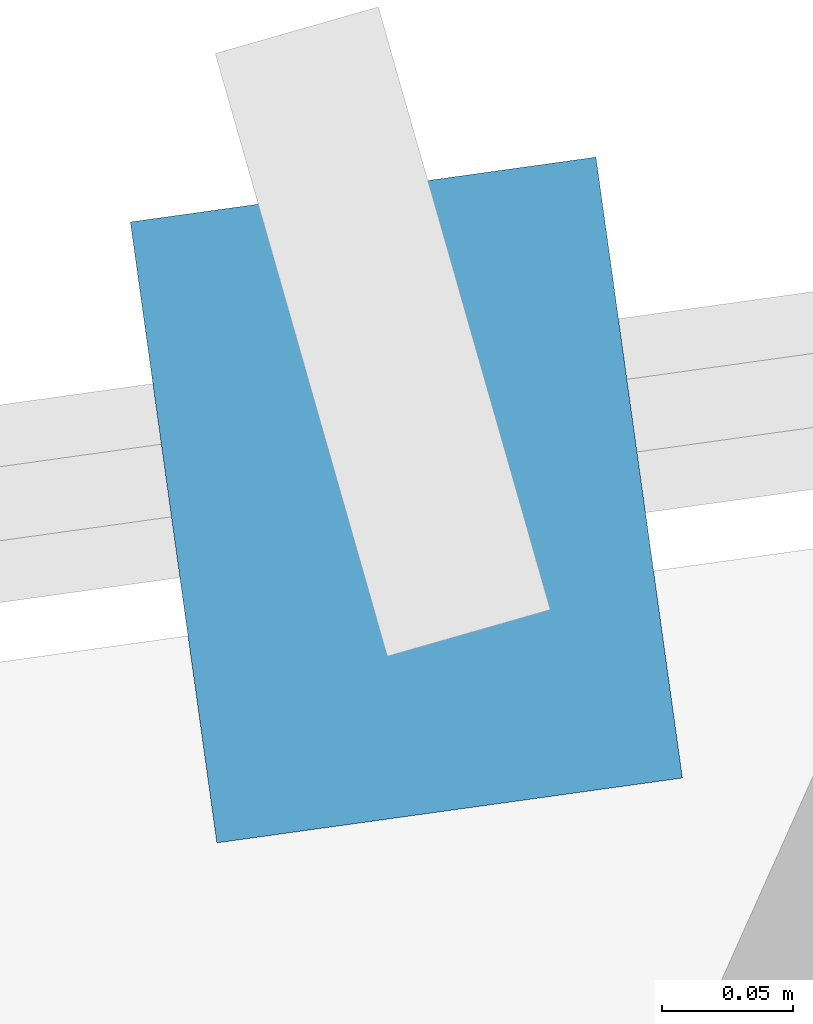
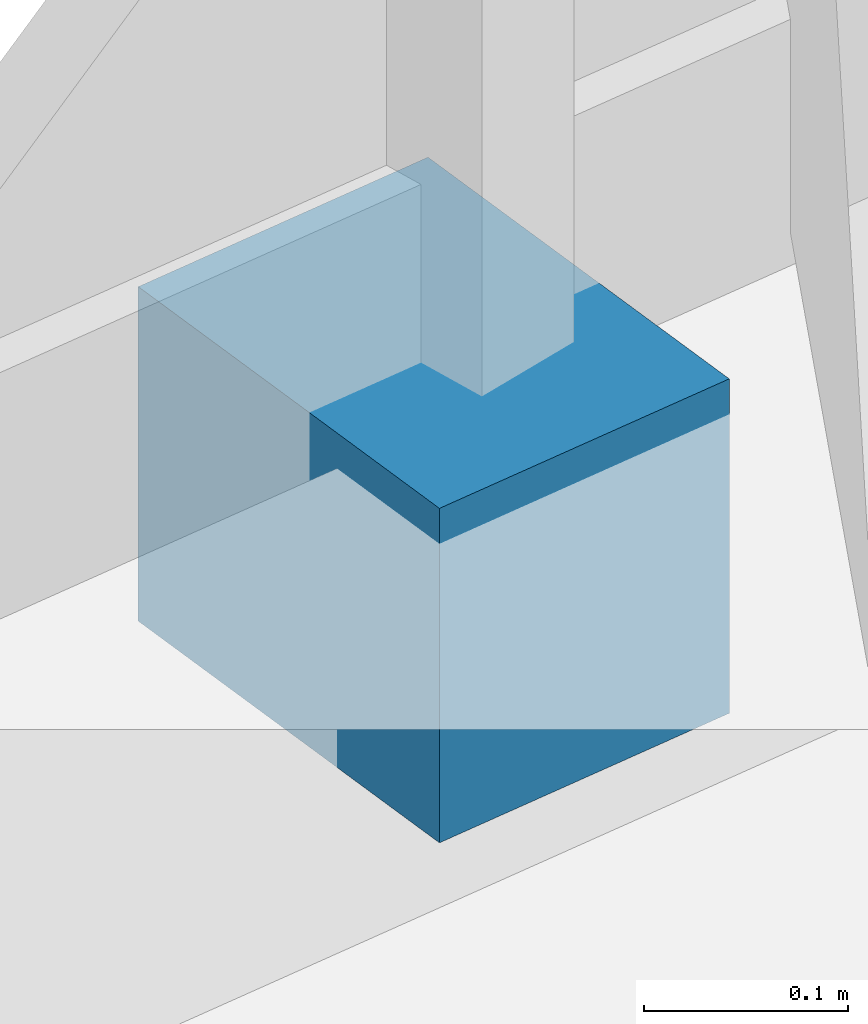
# One storey, part 21 of 24: 1 discrete accessory.
"""IFC4 building model written with IfcOpenShell, lengths in metres."""

import ifcopenshell
import ifcopenshell.guid

model = None  # the IFC model being written
_history = None  # IfcOwnerHistory: only IFC2X3 demands one
_inside = {}  # id of a spatial element -> (the spatial element, [elements in it])
_under = {}  # id of a project, library or spatial element -> (it, [spatial elements below it])
_declared = {}  # id of a project -> (the project, [libraries it declares])
_typed = {}  # id of a type object -> (the type object, [elements of that type])
_made_of = {}  # id of a material, layer set ... -> (it, [elements and type objects made of it])


def new_model(schema):
    """Start an empty IFC model of exactly this schema.

    Asked for "IFC4X3", IfcOpenShell would pick the latest addendum, in which some entities
    have other attributes; the version numbers below select the first issue.
    IFC2X3 requires an IfcOwnerHistory on every rooted entity: one is made here for all.
    """
    global model, _history
    if schema == "IFC4X3":
        model = ifcopenshell.file(schema_version=(4, 3, 0, 0))
    else:
        model = ifcopenshell.file(schema=schema)
    _inside.clear()
    _under.clear()
    _declared.clear()
    _typed.clear()
    _made_of.clear()
    _history = None
    if model.schema == "IFC2X3":
        org = make("IfcOrganization", Name="unknown")
        user = make(
            "IfcPersonAndOrganization",
            ThePerson=make("IfcPerson", FamilyName="unknown"),
            TheOrganization=org,
        )
        app = make(
            "IfcApplication",
            ApplicationDeveloper=org,
            Version="unknown",
            ApplicationFullName="unknown",
            ApplicationIdentifier="unknown",
        )
        _history = make(
            "IfcOwnerHistory",
            OwningUser=user,
            OwningApplication=app,
            ChangeAction="ADDED",
            CreationDate=0,
        )
    return model


def make(cls, **values):
    """One entity of the class cls with the attributes given. An attribute that is None is left unset."""
    return model.create_entity(
        cls, **{name: value for name, value in values.items() if value is not None}
    )


def rooted(cls, **values):
    """An entity with a GlobalId (a new one), such as an element, a storey or a relation."""
    return make(cls, GlobalId=ifcopenshell.guid.new(), OwnerHistory=_history, **values)


def si_unit(unit_type, name, prefix=None):
    """IfcSIUnit, for example si_unit("LENGTHUNIT", "METRE", prefix="MILLI")."""
    return make("IfcSIUnit", UnitType=unit_type, Prefix=prefix, Name=name)


def assignment(units):
    """IfcUnitAssignment: the units of a project."""
    return None if units is None else make("IfcUnitAssignment", Units=units)


def point(xyz):
    """IfcCartesianPoint."""
    return None if xyz is None else make("IfcCartesianPoint", Coordinates=xyz)


def direction(xyz):
    """IfcDirection."""
    return None if xyz is None else make("IfcDirection", DirectionRatios=xyz)


def frame(location, z_axis=None, x_axis=None):
    """IfcAxis2Placement3D, a coordinate frame: its origin and axes. An axis left out is left unset."""
    return make(
        "IfcAxis2Placement3D",
        Location=point(location),
        Axis=direction(z_axis),
        RefDirection=direction(x_axis),
    )


def frame_2d(location, x_axis=None):
    """IfcAxis2Placement2D, a coordinate frame in the plane: its origin and x axis."""
    return make(
        "IfcAxis2Placement2D", Location=point(location), RefDirection=direction(x_axis)
    )


def origin():
    """The frame at (0, 0, 0) with its axes left unset."""
    return frame((0.0, 0.0, 0.0))


def origin_2d():
    """The frame at (0, 0) in the plane with its x axis left unset."""
    return frame_2d((0.0, 0.0))


def place(relative_to, where):
    """IfcLocalPlacement: puts the frame where relative to a parent placement (None: the world)."""
    return make(
        "IfcLocalPlacement", PlacementRelTo=relative_to, RelativePlacement=where
    )


def context(
    kind, dimensions, precision=None, world=None, true_north=None, identifier=None
):
    """IfcGeometricRepresentationContext, for example the 3D "Model" context."""
    return make(
        "IfcGeometricRepresentationContext",
        ContextIdentifier=identifier,
        ContextType=kind,
        CoordinateSpaceDimension=dimensions,
        Precision=precision,
        WorldCoordinateSystem=world,
        TrueNorth=true_north,
    )


def subcontext(parent, identifier, kind, view, scale=None):
    """IfcGeometricRepresentationSubContext, for example "Body" below "Model"."""
    return make(
        "IfcGeometricRepresentationSubContext",
        ContextIdentifier=identifier,
        ContextType=kind,
        ParentContext=parent,
        TargetScale=scale,
        TargetView=view,
    )


def project(units=None, contexts=None):
    """IfcProject with its units and contexts."""
    return rooted(
        "IfcProject",
        Name="project",
        RepresentationContexts=contexts,
        UnitsInContext=assignment(units),
    )


def spatial(cls, under=None, at=None, **own):
    """A site, building, storey or space (cls), placed at a placement, below another one or the project."""
    s = rooted(cls, ObjectPlacement=at, **own)
    if under is not None:
        _under.setdefault(under.id(), (under, []))[1].append(s)
    return s


def profile(cls, at=None, kind="AREA", **sizes):
    """A parametric profile (cls). Its sizes go by their IFC names, for example OverallWidth=200.0."""
    return make(cls, ProfileType=kind, Position=at, **sizes)


def rectangle(**sizes):
    """IfcRectangleProfileDef."""
    return profile("IfcRectangleProfileDef", **sizes)


def extrude(swept, where, along, depth):
    """IfcExtrudedAreaSolid: the profile swept, set in the frame where, extruded along a direction by depth."""
    return make(
        "IfcExtrudedAreaSolid",
        SweptArea=swept,
        Position=where,
        ExtrudedDirection=direction(along),
        Depth=depth,
    )


def shape(context_of_items, identifier, shape_type, items):
    """IfcShapeRepresentation: the items that make up one representation, for example the "Body"."""
    return make(
        "IfcShapeRepresentation",
        ContextOfItems=context_of_items,
        RepresentationIdentifier=identifier,
        RepresentationType=shape_type,
        Items=items,
    )


def source(mapping_origin, context_of_items, identifier, shape_type, items):
    """IfcRepresentationMap: a shape defined once, which mapped items show again and again."""
    return make(
        "IfcRepresentationMap",
        MappingOrigin=mapping_origin,
        MappedRepresentation=shape(context_of_items, identifier, shape_type, items),
    )


def transform(
    local_origin,
    x_axis=None,
    y_axis=None,
    z_axis=None,
    scale=None,
    scale2=None,
    scale3=None,
    uniform=True,
):
    """IfcCartesianTransformationOperator3D, or its non-uniform kind. x_axis, y_axis, z_axis: its Axis1, 2, 3."""
    if uniform:
        return make(
            "IfcCartesianTransformationOperator3D",
            Axis1=direction(x_axis),
            Axis2=direction(y_axis),
            LocalOrigin=point(local_origin),
            Scale=scale,
            Axis3=direction(z_axis),
        )
    return make(
        "IfcCartesianTransformationOperator3DnonUniform",
        Axis1=direction(x_axis),
        Axis2=direction(y_axis),
        LocalOrigin=point(local_origin),
        Scale=scale,
        Axis3=direction(z_axis),
        Scale2=scale2,
        Scale3=scale3,
    )


def mapped(mapping_source, mapping_target):
    """IfcMappedItem: shows the shape of a source again, moved by a transform."""
    return make(
        "IfcMappedItem", MappingSource=mapping_source, MappingTarget=mapping_target
    )


def material(Name=None, Category=None):
    """IfcMaterial."""
    return make("IfcMaterial", Name=Name, Category=Category)


def made_of(thing, what):
    """Note that an element or type object is made of a material, layer set ...; save() writes the relation."""
    if what is not None:
        _made_of.setdefault(what.id(), (what, []))[1].append(thing)
    return thing


def type_object(cls, material=None, **own):
    """A type object (cls), such as IfcWallType, which elements share."""
    return made_of(rooted(cls, **own), material)


def type_shapes(of_type, sources):
    """Give a type object the sources (RepresentationMaps) that its elements show as mapped items."""
    of_type.RepresentationMaps = sources


def element(
    cls,
    number,
    at=None,
    inside=None,
    cuts=None,
    type_object=None,
    material=None,
    context=None,
    identifier="Body",
    shape_type=None,
    held_by="IfcProductDefinitionShape",
    body=None,
    shapes=None,
    **own,
):
    """One element of the class cls, such as IfcWall. Its Tag is "e" and its number.

    at: its placement. inside: the storey or other place that contains it. cuts: it is an
    opening in that element (IfcRelVoidsElement). A single representation is given by context,
    identifier, shape_type and body (its items); several are given by shapes. held_by: the class
    of the entity that holds the representations. save() writes the other relations.
    """
    e = rooted(cls, Tag="e%d" % number, ObjectPlacement=at, **own)
    if body is not None:
        shapes = [shape(context, identifier, shape_type, body)]
    if shapes is not None:
        e.Representation = make(held_by, Representations=shapes)
    if inside is not None:
        _inside.setdefault(inside.id(), (inside, []))[1].append(e)
    if cuts is not None:
        rooted(
            "IfcRelVoidsElement", RelatingBuildingElement=cuts, RelatedOpeningElement=e
        )
    if type_object is not None:
        _typed.setdefault(type_object.id(), (type_object, []))[1].append(e)
    return made_of(e, material)


def aggregate(whole, parts):
    """IfcRelAggregates: a whole, such as a stair, and the parts it consists of."""
    return rooted("IfcRelAggregates", RelatingObject=whole, RelatedObjects=parts)


def save(model, path):
    """Write the relations noted so far, then the file.

    IfcRelAggregates (storeys below a building ...), IfcRelContainedInSpatialStructure (elements
    in a storey), IfcRelDefinesByType, IfcRelAssociatesMaterial and IfcRelDeclares: one each for
    every whole, place, type object, material and project.
    """
    for whole, parts in _under.values():
        aggregate(whole, parts)
    for where, things in _inside.values():
        rooted(
            "IfcRelContainedInSpatialStructure",
            RelatedElements=things,
            RelatingStructure=where,
        )
    for kind, things in _typed.values():
        rooted("IfcRelDefinesByType", RelatedObjects=things, RelatingType=kind)
    for what, things in _made_of.values():
        rooted("IfcRelAssociatesMaterial", RelatedObjects=things, RelatingMaterial=what)
    for by, libraries in _declared.values():
        rooted("IfcRelDeclares", RelatingContext=by, RelatedDefinitions=libraries)
    model.write(path)


model = new_model("IFC4")

# Units and contexts
model_context = context("Model", 3, precision=1e-05, world=origin(), true_north=direction((0.0, 1.0)))
body_context = subcontext(model_context, "Body", "Model", "MODEL_VIEW")
ifc_project = project(units=[si_unit("LENGTHUNIT", "METRE"), si_unit("AREAUNIT", "SQUARE_METRE"), si_unit("VOLUMEUNIT", "CUBIC_METRE"), si_unit("PLANEANGLEUNIT", "RADIAN"), si_unit("MASSUNIT", "GRAM", prefix="KILO")], contexts=[model_context])

# Site, building, storey
site_placement = place(None, origin())
site = spatial("IfcSite", under=ifc_project, at=site_placement, CompositionType="ELEMENT")
building_placement = place(site_placement, origin())
building = spatial("IfcBuilding", under=site, at=building_placement, Name="Talar Marvaseh", CompositionType="ELEMENT")
storey_placement = place(building_placement, frame((0.0, 0.0, 114.60009765625)))
storey = spatial("IfcBuildingStorey", under=building, at=storey_placement, Name="L29", CompositionType="ELEMENT", Elevation=114.60009765625)

# Discrete accessory
ifc_material = material(Name="Stainless Steel Grade 316", Category="steel")
discrete_accessory_type = type_object("IfcDiscreteAccessoryType", Name="Stainless Slab-Edge Fin Mounting Bracket", PredefinedType="BRACKET", material=ifc_material)
shared_shape = source(origin(), body_context, "Body", "SweptSolid", [
    extrude(rectangle(XDim=0.239990234375, YDim=0.179931640625, at=origin_2d()), origin(), (0.0, 0.0, 1.0), 0.199951171875),
])
type_shapes(discrete_accessory_type, [shared_shape])
discrete_accessory_placement = place(storey_placement, frame((31.612060546875, 45.438232421875, -0.18017578125), z_axis=(0.0, 0.0, 1.0), x_axis=(-0.137963156715, 0.990437361669, 0.0)))
element("IfcDiscreteAccessory", 1, at=discrete_accessory_placement, inside=storey, type_object=discrete_accessory_type, Name="L29 Vertical Fin Slab-Edge Bracket", PredefinedType="BRACKET", context=body_context, shape_type="MappedRepresentation", body=[
    mapped(shared_shape, transform((0.0, 0.0, 0.0), x_axis=(1.0, 0.0, 0.0), y_axis=(0.0, 1.0, 0.0), z_axis=(0.0, 0.0, 1.0), scale=1.0)),
])

save(model, "model.ifc")
